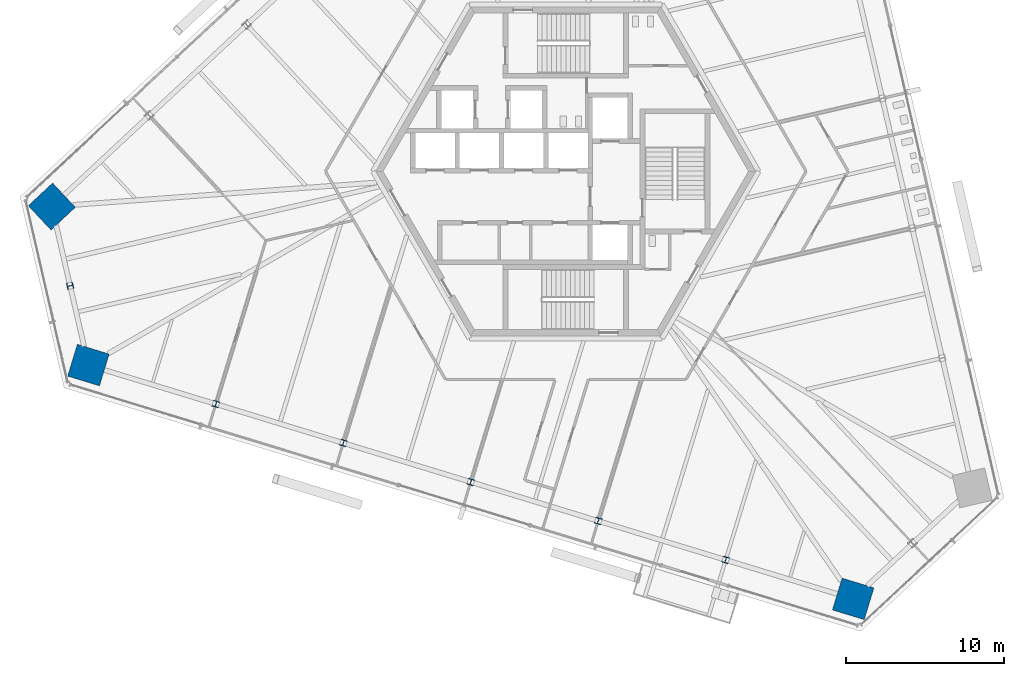
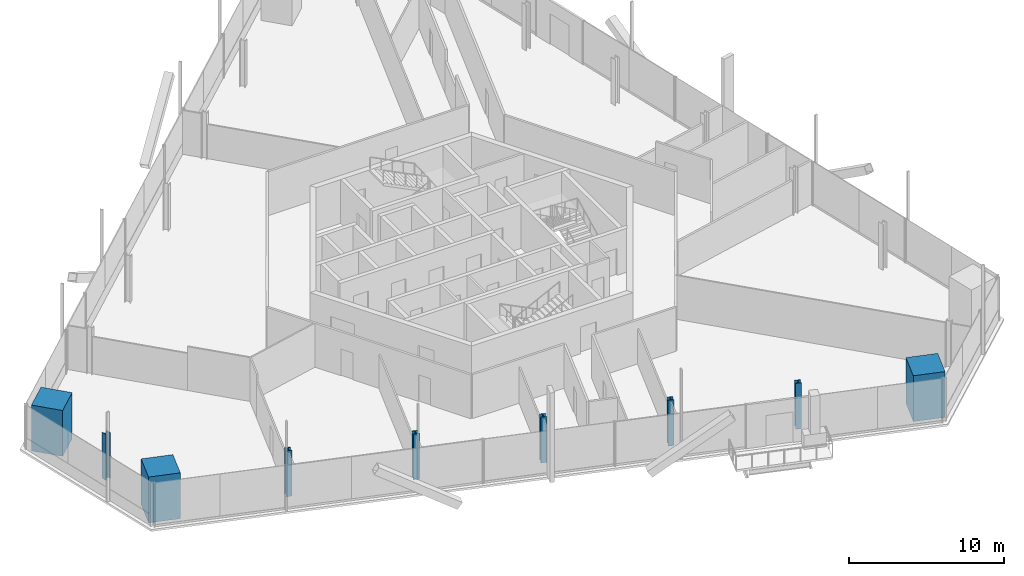
# One storey, part 1 of 21: 9 columns.
"""IFC4 building model written with IfcOpenShell, lengths in metres."""

from ifc_helpers import new_model, si_unit, direction, frame, origin, origin_2d, place, context, subcontext, project, spatial, rectangle, i_section, extrude, source, transform, mapped, material, material_profile, profile_set, type_object, element, save


model = new_model("IFC4")

# Units and contexts
model_context = context("Model", 3, precision=1e-05, world=origin(), true_north=direction((0.0, 1.0)))
body_context = subcontext(model_context, "Body", "Model", "MODEL_VIEW")
ifc_project = project(units=[si_unit("LENGTHUNIT", "METRE"), si_unit("AREAUNIT", "SQUARE_METRE"), si_unit("VOLUMEUNIT", "CUBIC_METRE"), si_unit("PLANEANGLEUNIT", "RADIAN"), si_unit("MASSUNIT", "GRAM", prefix="KILO")], contexts=[model_context])

# Site, building, storey
site_placement = place(None, origin())
site = spatial("IfcSite", under=ifc_project, at=site_placement, CompositionType="ELEMENT")
building_placement = place(site_placement, origin())
building = spatial("IfcBuilding", under=site, at=building_placement, Name="Triune Harvest Tower", CompositionType="ELEMENT")
storey_placement = place(building_placement, frame((0.0, 0.0, 119.89990234375)))
storey = spatial("IfcBuildingStorey", under=building, at=storey_placement, Name="L30", CompositionType="ELEMENT", Elevation=119.89990234375)

# Columns
ifc_material_1 = material(Name="Concrete 70 MPa", Category="concrete")
ifc_material_profile_1 = material_profile(ifc_material_1, rectangle(XDim=2.10009765625, YDim=2.10009765625, at=origin_2d()), Name="Composite 2100x2100")
ifc_profile_set_1 = profile_set([ifc_material_profile_1], Name="Concrete 70 MPa")
column_type_1 = type_object("IfcColumnType", Name="MC-3 Mega column Composite 2100x2100", PredefinedType="COLUMN", material=ifc_profile_set_1)
shared_shape_1 = source(origin(), body_context, "Body", "SweptSolid", [
    extrude(rectangle(XDim=2.10009765625, YDim=2.10009765625, at=origin_2d()), origin(), (0.0, 0.0, 1.0), 3.60009765625),
])
for number, where, z_axis, x_axis, name in (
    (1, (-32.446533203125, -2.218994140625, 0.0), (0.0, 0.0, 1.0), (-0.73135489193, -0.681997083608, 0.0), "col/L30/M14"),
    (2, (-30.135498046875, -12.22900390625, 0.0), (0.0, 0.0, 1.0), (0.956304755963, -0.292371704723, 0.0), "col/L30/M16"),
    (3, (18.14501953125, -26.989990234375, 0.0), (0.0, 0.0, 1.0), (0.956304755963, -0.292371704723, 0.0), "col/L30/M22"),
):
    element("IfcColumn", number, at=place(storey_placement, frame(where, z_axis=z_axis, x_axis=x_axis)), inside=storey, type_object=column_type_1, Name=name, PredefinedType="COLUMN", context=body_context, shape_type="MappedRepresentation", body=[
        mapped(shared_shape_1, transform((0.0, 0.0, 0.0), scale=1.0)),
    ])
ifc_material_2 = material(Name="Steel ASTM A992 Gr 50", Category="steel")
ifc_material_profile_2 = material_profile(ifc_material_2, i_section(OverallWidth=0.396240234375, OverallDepth=0.381103515625, WebThickness=0.01904296875, FlangeThickness=0.0302734375, at=origin_2d()), Name="W14x159")
ifc_profile_set_2 = profile_set([ifc_material_profile_2], Name="Steel ASTM A992 Gr 50")
column_type_2 = type_object("IfcColumnType", Name="PC-3 Perimeter column W14x159", PredefinedType="COLUMN", material=ifc_profile_set_2)
shared_shape_2 = source(origin(), body_context, "Body", "SweptSolid", [
    extrude(i_section(OverallWidth=0.396240234375, OverallDepth=0.381103515625, WebThickness=0.01904296875, FlangeThickness=0.0302734375, at=origin_2d()), origin(), (0.0, 0.0, 1.0), 3.60009765625),
])
for number, where, z_axis, x_axis, name in (
    (4, (-31.291015625, -7.22412109375, 0.0), (0.0, 0.0, 1.0), (0.224951054344, -0.974370064785, 0.0), "col/L30/P15"),
    (5, (-22.0888671875, -14.689208984375, 0.0), (0.0, 0.0, 1.0), (0.956304755963, -0.292371704723, 0.0), "col/L30/P17"),
    (6, (-14.0419921875, -17.1494140625, 0.0), (0.0, 0.0, 1.0), (0.956304755963, -0.292371704723, 0.0), "col/L30/P18"),
    (7, (-5.995361328125, -19.609619140625, 0.0), (0.0, 0.0, 1.0), (0.956304755963, -0.292371704723, 0.0), "col/L30/P19"),
    (8, (2.051513671875, -22.069580078125, 0.0), (0.0, 0.0, 1.0), (0.956304755963, -0.292371704723, 0.0), "col/L30/P20"),
    (9, (10.098388671875, -24.52978515625, 0.0), (0.0, 0.0, 1.0), (0.956304755963, -0.292371704723, 0.0), "col/L30/P21"),
):
    element("IfcColumn", number, at=place(storey_placement, frame(where, z_axis=z_axis, x_axis=x_axis)), inside=storey, type_object=column_type_2, Name=name, PredefinedType="COLUMN", context=body_context, shape_type="MappedRepresentation", body=[
        mapped(shared_shape_2, transform((0.0, 0.0, 0.0), scale=1.0)),
    ])

save(model, "model.ifc")
